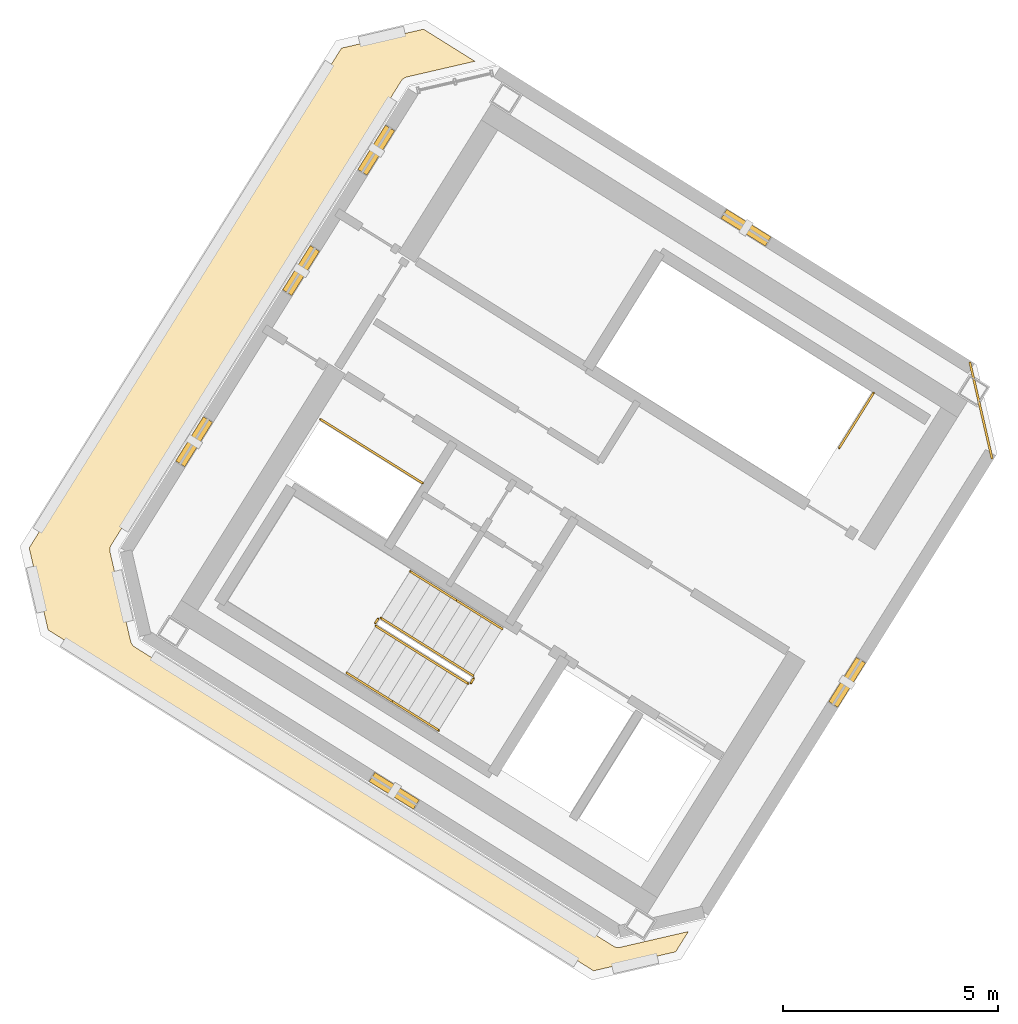
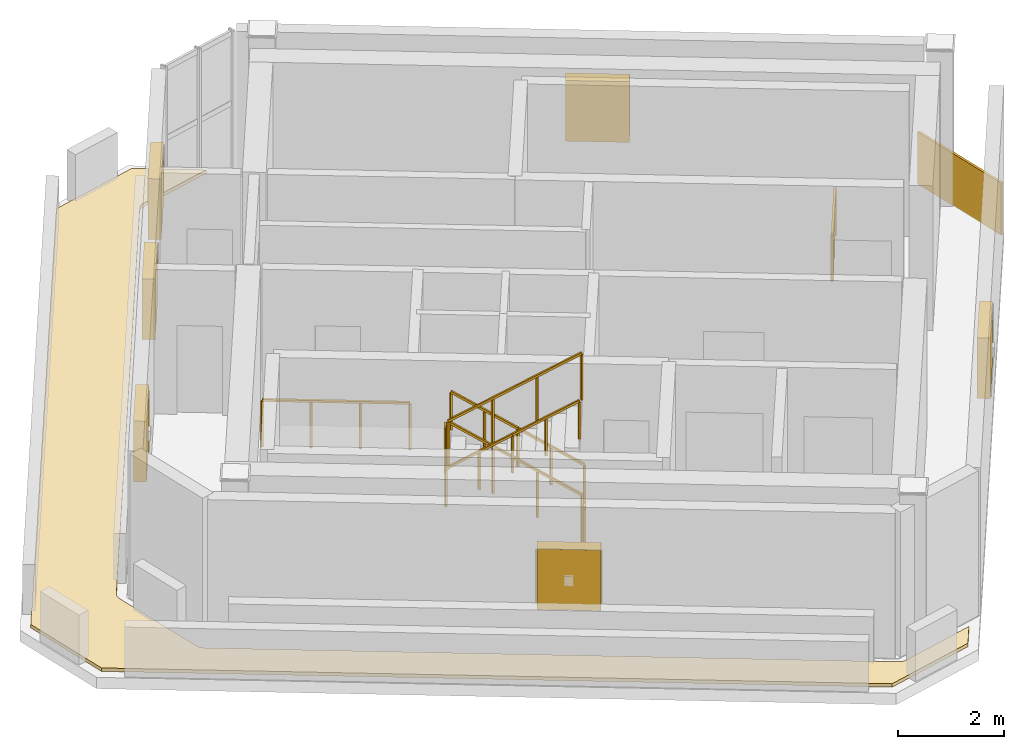
# One storey, part 5 of 5: 10 railings, 6 shading devices, 2 coverings.
"""IFC4 building model written with IfcOpenShell, lengths in metres."""

from ifc_helpers import new_model, si_unit, direction, frame, origin, origin_2d, place, context, subcontext, project, spatial, polyline, rectangle, outline, extrude, source, transform, mapped, material, layer, layer_set, type_object, element, save


model = new_model("IFC4")

# Units and contexts
model_context = context("Model", 3, precision=1e-05, world=origin(), true_north=direction((0.0, 1.0)))
body_context = subcontext(model_context, "Body", "Model", "MODEL_VIEW")
ifc_project = project(units=[si_unit("LENGTHUNIT", "METRE"), si_unit("AREAUNIT", "SQUARE_METRE"), si_unit("VOLUMEUNIT", "CUBIC_METRE"), si_unit("PLANEANGLEUNIT", "RADIAN"), si_unit("MASSUNIT", "GRAM", prefix="KILO")], contexts=[model_context])

# Site, building, storey
site_placement = place(None, origin())
site = spatial("IfcSite", under=ifc_project, at=site_placement, CompositionType="ELEMENT")
building_placement = place(site_placement, origin())
building = spatial("IfcBuilding", under=site, at=building_placement, Name="Tlacorven Tower", CompositionType="ELEMENT")
storey_placement = place(building_placement, frame((0.0, 0.0, 316.800048828125)))
storey = spatial("IfcBuildingStorey", under=building, at=storey_placement, Name="L81", CompositionType="ELEMENT", Elevation=316.800048828125)

# Covering
ifc_material_1 = material(Name="EPDM waterproofing membrane and rigid insulation")
ifc_layer_1 = layer(ifc_material_1, 0.080078125)
ifc_layer_set_1 = layer_set([ifc_layer_1], Name="EPDM waterproofing membrane and rigid insulation")
covering_type_1 = type_object("IfcCoveringType", Name="CV-ROF-MEMB", PredefinedType="ROOFING", material=ifc_layer_set_1)
covering_1_placement = place(storey_placement, origin())
element("IfcCovering", 1, at=covering_1_placement, inside=storey, type_object=covering_type_1, Name="L81 Stepped Crown Waterproofing Membrane 1.1", PredefinedType="ROOFING", context=body_context, shape_type="SweptSolid", body=[
    extrude(outline(polyline([(33.865966796875, 11.4365234375), (31.96044921875, 10.99658203125), (19.29541015625, 18.910400390625), (18.85546875, 20.81591796875), (26.107177734375, 32.4208984375), (28.0126953125, 32.86083984375), (29.205078125, 32.11572265625), (27.6279296875, 31.751708984375), (27.61865234375, 31.749267578125), (27.61669921875, 31.748779296875), (27.59814453125, 31.742431640625), (27.59619140625, 31.74169921875), (27.578369140625, 31.733642578125), (27.57666015625, 31.73291015625), (27.5595703125, 31.722900390625), (27.557861328125, 31.721923828125), (27.5419921875, 31.71044921875), (27.540283203125, 31.709228515625), (27.525634765625, 31.696533203125), (27.524169921875, 31.695068359375), (27.5107421875, 31.6806640625), (27.509521484375, 31.67919921875), (27.49755859375, 31.663818359375), (27.496337890625, 31.662109375), (27.490966796875, 31.65380859375), (20.760986328125, 20.8837890625), (20.756103515625, 20.875244140625), (20.755126953125, 20.87353515625), (20.746337890625, 20.85595703125), (20.74560546875, 20.854248046875), (20.738525390625, 20.8359375), (20.738037109375, 20.833984375), (20.73291015625, 20.81494140625), (20.732421875, 20.81298828125), (20.729248046875, 20.793701171875), (20.72900390625, 20.791748046875), (20.7275390625, 20.772216796875), (20.7275390625, 20.770263671875), (20.728271484375, 20.75048828125), (20.728271484375, 20.748779296875), (20.73095703125, 20.729248046875), (20.731201171875, 20.727294921875), (20.733154296875, 20.717529296875), (21.21044921875, 18.650634765625), (21.212890625, 18.64111328125), (21.21337890625, 18.639404296875), (21.2197265625, 18.62060546875), (21.220458984375, 18.618896484375), (21.228515625, 18.60107421875), (21.229248046875, 18.59912109375), (21.239013671875, 18.582275390625), (21.240234375, 18.58056640625), (21.25146484375, 18.564697265625), (21.252685546875, 18.56298828125), (21.265625, 18.54833984375), (21.26708984375, 18.546875), (21.28125, 18.533447265625), (21.28271484375, 18.5322265625), (21.29833984375, 18.52001953125), (21.300048828125, 18.51904296875), (21.30810546875, 18.513671875), (32.41748046875, 11.57177734375), (32.426025390625, 11.566650390625), (32.427734375, 11.565673828125), (32.4453125, 11.556884765625), (32.447265625, 11.55615234375), (32.465576171875, 11.54931640625), (32.46728515625, 11.548583984375), (32.486328125, 11.54345703125), (32.48828125, 11.543212890625), (32.507568359375, 11.539794921875), (32.509521484375, 11.53955078125), (32.529052734375, 11.538330078125), (32.531005859375, 11.538330078125), (32.55078125, 11.538818359375), (32.552734375, 11.5390625), (32.572021484375, 11.54150390625), (32.573974609375, 11.5419921875), (32.583740234375, 11.5439453125), (34.16064453125, 11.907958984375), (33.865966796875, 11.4365234375)])), origin(), (0.0, 0.0, 1.0), 0.079833984375),
])

# Railing
ifc_material_2 = material(Name="Aluminium and painted steel balustrade", Category="steel")
railing_type_1 = type_object("IfcRailingType", Name="RL-GRD-1100", PredefinedType="GUARDRAIL", material=ifc_material_2)
shared_shape_1 = source(origin(), body_context, "Body", "SweptSolid", [
    extrude(rectangle(XDim=0.048095703125, YDim=0.048095703125, at=origin_2d()), frame((0.0, 0.0, 1.076171875), z_axis=(-0.848091358275, 0.529850024081, 0.0), x_axis=(-0.529850024081, -0.848091358275, 0.0)), (0.0, 0.0, 1.0), 2.800048828125),
    extrude(rectangle(XDim=0.0419921875, YDim=0.0419921875, at=origin_2d()), origin(), (0.0, 0.0, 1.0), 1.052001953125),
    extrude(rectangle(XDim=0.0419921875, YDim=0.0419921875, at=origin_2d()), frame((-0.79150390625, 0.49462890625, 0.0)), (0.0, 0.0, 1.0), 1.052001953125),
    extrude(rectangle(XDim=0.0419921875, YDim=0.0419921875, at=origin_2d()), frame((-1.583251953125, 0.989013671875, 0.0)), (0.0, 0.0, 1.0), 1.052001953125),
    extrude(rectangle(XDim=0.0419921875, YDim=0.0419921875, at=origin_2d()), frame((-2.374755859375, 1.483642578125, 0.0)), (0.0, 0.0, 1.0), 1.052001953125),
])
railing_1_placement = place(storey_placement, frame((27.9912109375, 22.32080078125, 0.0)))
element("IfcRailing", 2, at=railing_1_placement, inside=storey, type_object=railing_type_1, Name="L81 Electrical Riser W Shaft Guard 1", PredefinedType="GUARDRAIL", context=body_context, shape_type="MappedRepresentation", body=[
    mapped(shared_shape_1, transform((0.0, 0.0, 0.0), scale=1.0)),
])

# Shading devices
ifc_material_3 = material(Name="Anodised bronze aluminium acoustic louvre", Category="aluminium")
shading_device_type = type_object("IfcShadingDeviceType", Name="SH-LVR-WND", PredefinedType="JALOUSIE", material=ifc_material_3)
shared_shape_2 = source(origin(), body_context, "Body", "SweptSolid", [
    extrude(rectangle(XDim=1.2099609375, YDim=0.25, at=origin_2d()), origin(), (0.0, 0.0, 1.0), 1.39990234375),
])
for number, where, z_axis, x_axis, name in (
    (3, (37.847412109375, 17.69482421875, 0.949951171875), (0.0, 0.0, 1.0), (-0.529918675781, -0.848048463862, 0.0), "L81 Storm-Resistant Acoustic Louvre Bank 1.1"),
    (4, (27.330078125, 15.17529296875, 0.949951171875), (0.0, 0.0, 1.0), (-0.848048175891, 0.529919136632, 0.0), "L81 Storm-Resistant Acoustic Louvre Bank 3.1"),
    (5, (22.6845703125, 23.282958984375, 0.949951171875), (0.0, 0.0, 1.0), (0.529919595929, 0.84804788889, 0.0), "L81 Storm-Resistant Acoustic Louvre Bank 5.1"),
    (6, (25.16796875, 27.2568359375, 0.949951171875), (0.0, 0.0, 1.0), (0.529919595929, 0.84804788889, 0.0), "L81 Storm-Resistant Acoustic Louvre Bank 5.2"),
    (7, (26.91455078125, 30.052001953125, 0.949951171875), (0.0, 0.0, 1.0), (0.529919595929, 0.84804788889, 0.0), "L81 Storm-Resistant Acoustic Louvre Bank 5.3"),
    (8, (35.50146484375, 28.252197265625, 0.949951171875), (0.0, 0.0, 1.0), (0.848048175891, -0.529919136632, 0.0), "L81 Storm-Resistant Acoustic Louvre Bank 6.1"),
):
    element("IfcShadingDevice", number, at=place(storey_placement, frame(where, z_axis=z_axis, x_axis=x_axis)), inside=storey, type_object=shading_device_type, Name=name, PredefinedType="JALOUSIE", context=body_context, shape_type="MappedRepresentation", body=[
        mapped(shared_shape_2, transform((0.0, 0.0, 0.0), scale=1.0)),
    ])

# Covering
ifc_material_4 = material(Name="Precast concrete C45/55", Category="concrete")
ifc_layer_2 = layer(ifc_material_4, 0.06005859375)
ifc_layer_set_2 = layer_set([ifc_layer_2], Name="Precast concrete C45/55")
covering_type_2 = type_object("IfcCoveringType", Name="CV-CLD-TERC", PredefinedType="CLADDING", material=ifc_layer_set_2)
shared_shape_3 = source(origin(), body_context, "Body", "SweptSolid", [
    extrude(rectangle(XDim=2.305419921875, YDim=0.050048828125, at=origin_2d()), origin(), (0.0, 0.0, 1.0), 1.199951171875),
])
covering_2_placement = place(storey_placement, frame((40.9560546875, 24.007568359375, -0.02001953125), z_axis=(0.0, 0.0, 1.0), x_axis=(0.22494970827, -0.97437037555, 0.0)))
element("IfcCovering", 9, at=covering_2_placement, inside=storey, type_object=covering_type_2, Name="L81 Crown Chamfer Spandrel Closure 1", PredefinedType="CLADDING", context=body_context, shape_type="MappedRepresentation", body=[
    mapped(shared_shape_3, transform((0.0, 0.0, 0.0), scale=1.0)),
])

# Railings
shared_shape_4 = source(origin(), body_context, "Body", "SweptSolid", [
    extrude(rectangle(XDim=0.048095703125, YDim=0.048095703125, at=origin_2d()), frame((0.0, 0.0, 1.076171875), z_axis=(-0.529084052582, -0.848569422795, 0.0), x_axis=(0.848569422795, -0.529084052582, 0.0)), (0.0, 0.0, 1.0), 0.119873046875),
    extrude(rectangle(XDim=0.0419921875, YDim=0.0419921875, at=origin_2d()), origin(), (0.0, 0.0, 1.0), 1.052001953125),
    extrude(rectangle(XDim=0.0419921875, YDim=0.0419921875, at=origin_2d()), frame((-0.0634765625, -0.101806640625, 0.0)), (0.0, 0.0, 1.0), 1.052001953125),
])
railing_2_placement = place(storey_placement, frame((29.176513671875, 17.782958984375, 0.0)))
element("IfcRailing", 10, at=railing_2_placement, inside=storey, type_object=railing_type_1, Name="L81 ST-W1 stair guard 4", PredefinedType="GUARDRAIL", context=body_context, shape_type="MappedRepresentation", body=[
    mapped(shared_shape_4, transform((0.0, 0.0, 0.0), scale=1.0)),
])
shared_shape_5 = source(origin(), body_context, "Body", "SweptSolid", [
    extrude(rectangle(XDim=0.048095703125, YDim=0.048095703125, at=origin_2d()), frame((0.0, 0.0, 1.076171875), z_axis=(-0.713319727316, 0.445773895627, 0.540796265334), x_axis=(-0.529955395941, -0.84802551749, 0.0)), (0.0, 0.0, 1.0), 2.995849609375),
    extrude(rectangle(XDim=0.0419921875, YDim=0.0419921875, at=origin_2d()), origin(), (0.0, 0.0, 1.0), 1.052001953125),
    extrude(rectangle(XDim=0.0419921875, YDim=0.0419921875, at=origin_2d()), frame((-0.71240234375, 0.445068359375, 0.5400390625)), (0.0, 0.0, 1.0), 1.052001953125),
    extrude(rectangle(XDim=0.0419921875, YDim=0.0419921875, at=origin_2d()), frame((-1.424560546875, 0.890380859375, 1.080078125)), (0.0, 0.0, 1.0), 1.052001953125),
    extrude(rectangle(XDim=0.0419921875, YDim=0.0419921875, at=origin_2d()), frame((-2.136962890625, 1.33544921875, 1.6201171875)), (0.0, 0.0, 1.0), 1.052001953125),
])
railing_3_placement = place(storey_placement, frame((29.16064453125, 17.851806640625, 0.179931640625)))
element("IfcRailing", 11, at=railing_3_placement, inside=storey, type_object=railing_type_1, Name="L81 ST-W1 stair guard 1", PredefinedType="GUARDRAIL", context=body_context, shape_type="MappedRepresentation", body=[
    mapped(shared_shape_5, transform((0.0, 0.0, 0.0), scale=1.0)),
])
shared_shape_6 = source(origin(), body_context, "Body", "SweptSolid", [
    extrude(rectangle(XDim=0.048095703125, YDim=0.048095703125, at=origin_2d()), frame((0.0, 0.0, 1.076171875), z_axis=(-0.530546985787, -0.847655529016, 0.0), x_axis=(0.847655529016, -0.530546985787, 0.0)), (0.0, 0.0, 1.0), 0.1201171875),
    extrude(rectangle(XDim=0.0419921875, YDim=0.0419921875, at=origin_2d()), origin(), (0.0, 0.0, 1.0), 1.052001953125),
    extrude(rectangle(XDim=0.0419921875, YDim=0.0419921875, at=origin_2d()), frame((-0.063720703125, -0.101806640625, 0.0)), (0.0, 0.0, 1.0), 1.052001953125),
])
railing_4_placement = place(storey_placement, frame((26.954833984375, 19.17138671875, 1.800048828125)))
element("IfcRailing", 12, at=railing_4_placement, inside=storey, type_object=railing_type_1, Name="L81 ST-W1 stair guard 2", PredefinedType="GUARDRAIL", context=body_context, shape_type="MappedRepresentation", body=[
    mapped(shared_shape_6, transform((0.0, 0.0, 0.0), scale=1.0)),
])
railing_type_2 = type_object("IfcRailingType", Name="RL-HND-0900", PredefinedType="HANDRAIL", material=ifc_material_2)
shared_shape_7 = source(origin(), body_context, "Body", "SweptSolid", [
    extrude(rectangle(XDim=0.048095703125, YDim=0.048095703125, at=origin_2d()), frame((0.0, 0.0, 0.8759765625), z_axis=(-0.713359751793, 0.4457479829, 0.540764828981), x_axis=(-0.529911857636, -0.848052724267, 0.0)), (0.0, 0.0, 1.0), 1.498046875),
    extrude(rectangle(XDim=0.0419921875, YDim=0.0419921875, at=origin_2d()), origin(), (0.0, 0.0, 1.0), 0.851806640625),
    extrude(rectangle(XDim=0.0419921875, YDim=0.0419921875, at=origin_2d()), frame((-0.5341796875, 0.333984375, 0.405029296875)), (0.0, 0.0, 1.0), 0.851806640625),
    extrude(rectangle(XDim=0.0419921875, YDim=0.0419921875, at=origin_2d()), frame((-1.068603515625, 0.667724609375, 0.81005859375)), (0.0, 0.0, 1.0), 0.851806640625),
])
for number, where, name in (
    (13, (29.839111328125, 18.937255859375, 0.179931640625), "L81 ST-W1 stair handrail 1"),
    (14, (28.7705078125, 19.60498046875, 0.989990234375), "L81 ST-W1 stair handrail 2"),
):
    element("IfcRailing", number, at=place(storey_placement, frame(where)), inside=storey, type_object=railing_type_2, Name=name, PredefinedType="HANDRAIL", context=body_context, shape_type="MappedRepresentation", body=[
        mapped(shared_shape_7, transform((0.0, 0.0, 0.0), scale=1.0)),
    ])
shared_shape_8 = source(origin(), body_context, "Body", "SweptSolid", [
    extrude(rectangle(XDim=0.048095703125, YDim=0.048095703125, at=origin_2d()), frame((0.0, 0.0, 0.8759765625), z_axis=(0.713359751793, -0.4457479829, 0.540764828981), x_axis=(0.529911857636, 0.848052724267, 0.0)), (0.0, 0.0, 1.0), 1.498046875),
    extrude(rectangle(XDim=0.0419921875, YDim=0.0419921875, at=origin_2d()), origin(), (0.0, 0.0, 1.0), 0.851806640625),
    extrude(rectangle(XDim=0.0419921875, YDim=0.0419921875, at=origin_2d()), frame((0.5341796875, -0.333984375, 0.405029296875)), (0.0, 0.0, 1.0), 0.851806640625),
    extrude(rectangle(XDim=0.0419921875, YDim=0.0419921875, at=origin_2d()), frame((1.068603515625, -0.667724609375, 0.81005859375)), (0.0, 0.0, 1.0), 0.851806640625),
])
railing_5_placement = place(storey_placement, frame((26.228759765625, 17.915283203125, 1.97998046875)))
element("IfcRailing", 15, at=railing_5_placement, inside=storey, type_object=railing_type_2, Name="L81 ST-W1 stair handrail 3", PredefinedType="HANDRAIL", context=body_context, shape_type="MappedRepresentation", body=[
    mapped(shared_shape_8, transform((0.0, 0.0, 0.0), scale=1.0)),
])
shared_shape_9 = source(origin(), body_context, "Body", "SweptSolid", [
    extrude(rectangle(XDim=0.048095703125, YDim=0.048095703125, at=origin_2d()), frame((0.0, 0.0, 1.076171875), z_axis=(0.71339118691, -0.44576762536, 0.540707165313), x_axis=(0.529911857636, 0.848052724267, 0.0)), (0.0, 0.0, 1.0), 2.995849609375),
    extrude(rectangle(XDim=0.0419921875, YDim=0.0419921875, at=origin_2d()), origin(), (0.0, 0.0, 1.0), 1.052001953125),
    extrude(rectangle(XDim=0.0419921875, YDim=0.0419921875, at=origin_2d()), frame((0.71240234375, -0.445068359375, 0.5400390625)), (0.0, 0.0, 1.0), 1.052001953125),
    extrude(rectangle(XDim=0.0419921875, YDim=0.0419921875, at=origin_2d()), frame((1.4248046875, -0.890380859375, 1.079833984375)), (0.0, 0.0, 1.0), 1.052001953125),
    extrude(rectangle(XDim=0.0419921875, YDim=0.0419921875, at=origin_2d()), frame((2.13720703125, -1.33544921875, 1.619873046875)), (0.0, 0.0, 1.0), 1.052001953125),
])
railing_6_placement = place(storey_placement, frame((26.906982421875, 19.000732421875, 1.97998046875)))
element("IfcRailing", 16, at=railing_6_placement, inside=storey, type_object=railing_type_1, Name="L81 ST-W1 stair guard 3", PredefinedType="GUARDRAIL", context=body_context, shape_type="MappedRepresentation", body=[
    mapped(shared_shape_9, transform((0.0, 0.0, 0.0), scale=1.0)),
])
shared_shape_10 = source(origin(), body_context, "Body", "SweptSolid", [
    extrude(rectangle(XDim=0.048095703125, YDim=0.048095703125, at=origin_2d()), frame((0.0, 0.0, 0.8759765625), z_axis=(0.713342573076, -0.445839108173, 0.540712366292), x_axis=(0.529998940003, 0.847998304005, 0.0)), (0.0, 0.0, 1.0), 1.49755859375),
    extrude(rectangle(XDim=0.0419921875, YDim=0.0419921875, at=origin_2d()), origin(), (0.0, 0.0, 1.0), 0.851806640625),
    extrude(rectangle(XDim=0.0419921875, YDim=0.0419921875, at=origin_2d()), frame((0.5341796875, -0.333984375, 0.40478515625)), (0.0, 0.0, 1.0), 0.851806640625),
    extrude(rectangle(XDim=0.0419921875, YDim=0.0419921875, at=origin_2d()), frame((1.068359375, -0.667724609375, 0.809814453125)), (0.0, 0.0, 1.0), 0.851806640625),
])
railing_7_placement = place(storey_placement, frame((27.29736328125, 17.24755859375, 2.7900390625)))
element("IfcRailing", 17, at=railing_7_placement, inside=storey, type_object=railing_type_2, Name="L81 ST-W1 stair handrail 4", PredefinedType="HANDRAIL", context=body_context, shape_type="MappedRepresentation", body=[
    mapped(shared_shape_10, transform((0.0, 0.0, 0.0), scale=1.0)),
])
shared_shape_11 = source(origin(), body_context, "Body", "SweptSolid", [
    extrude(rectangle(XDim=0.048095703125, YDim=0.048095703125, at=origin_2d()), frame((0.0, 0.0, 1.076171875), z_axis=(-0.529969678186, -0.848016591938, 0.0), x_axis=(0.848016591938, -0.529969678186, 0.0)), (0.0, 0.0, 1.0), 1.5),
    extrude(rectangle(XDim=0.0419921875, YDim=0.0419921875, at=origin_2d()), origin(), (0.0, 0.0, 1.0), 1.052001953125),
    extrude(rectangle(XDim=0.0419921875, YDim=0.0419921875, at=origin_2d()), frame((-0.3974609375, -0.635986328125, 0.0)), (0.0, 0.0, 1.0), 1.052001953125),
    extrude(rectangle(XDim=0.0419921875, YDim=0.0419921875, at=origin_2d()), frame((-0.794921875, -1.27197265625, 0.0)), (0.0, 0.0, 1.0), 1.052001953125),
])
railing_8_placement = place(storey_placement, frame((38.45947265625, 24.410888671875, 0.0)))
element("IfcRailing", 18, at=railing_8_placement, inside=storey, type_object=railing_type_1, Name="L81 ST-W2 top well guard 1", PredefinedType="GUARDRAIL", context=body_context, shape_type="MappedRepresentation", body=[
    mapped(shared_shape_11, transform((0.0, 0.0, 0.0), scale=1.0)),
])

save(model, "model.ifc")
